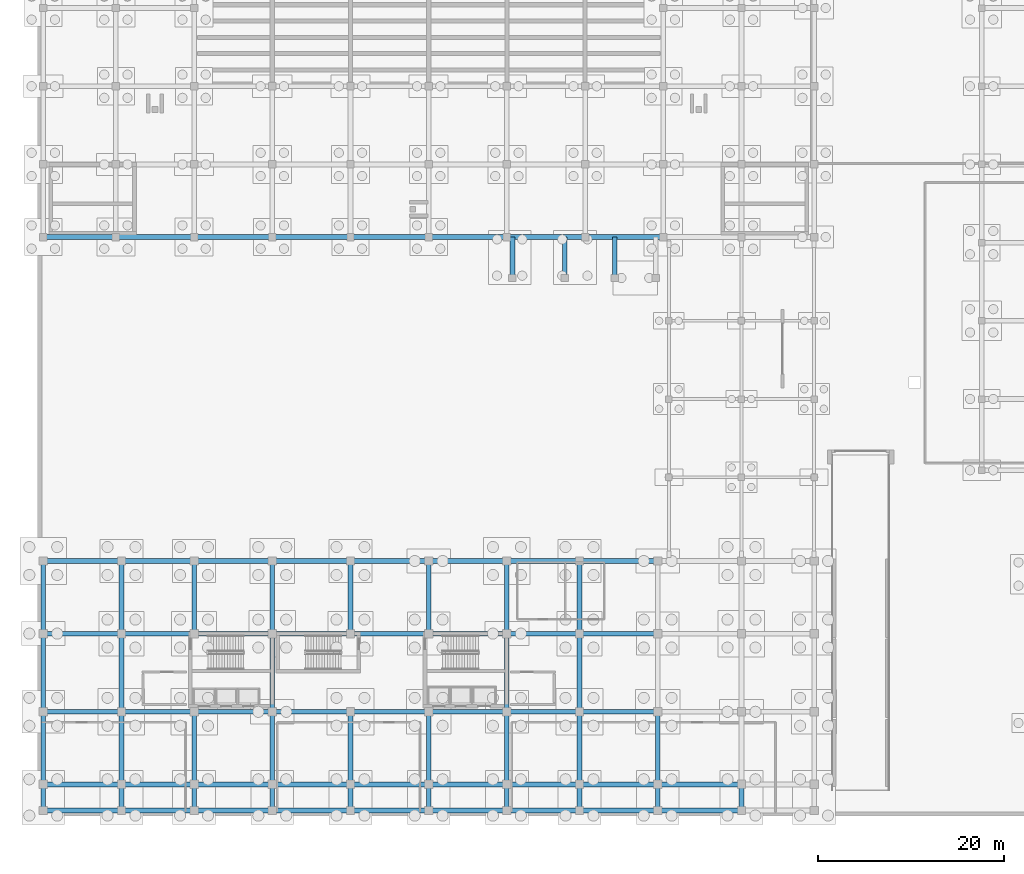
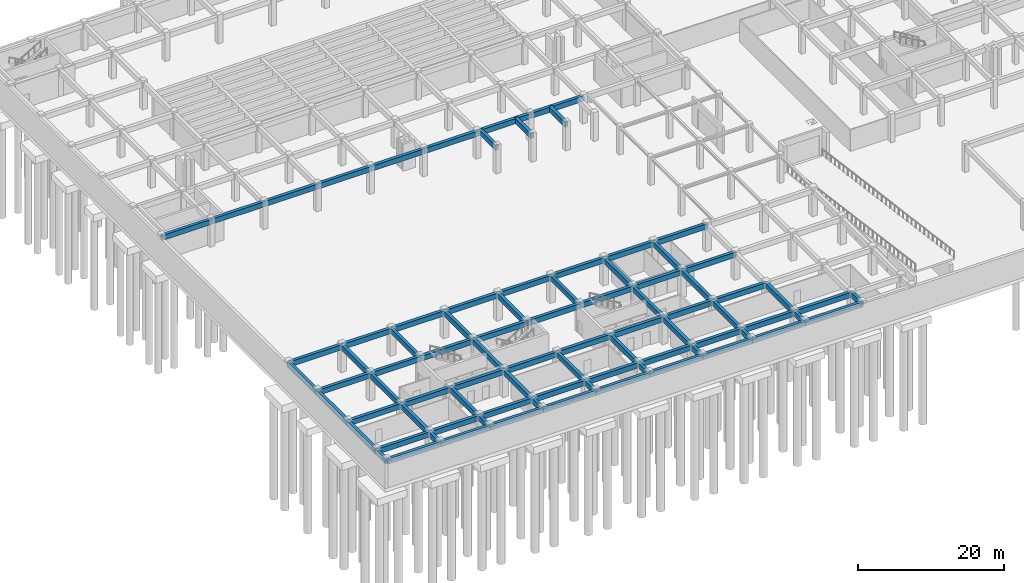
# One storey, part 10 of 35: 85 beams.
"""IFC4 building model written with IfcOpenShell, lengths in metres."""

from ifc_helpers import new_model, si_unit, direction, frame, origin, origin_2d, place, context, subcontext, project, spatial, rectangle, extrude, material, material_profile, profile_set, type_object, element, save


model = new_model("IFC4")

# Units and contexts
model_context = context("Model", 3, precision=1e-05, world=origin(), true_north=direction((0.0, 1.0)))
body_context = subcontext(model_context, "Body", "Model", "MODEL_VIEW")
ifc_project = project(units=[si_unit("LENGTHUNIT", "METRE"), si_unit("AREAUNIT", "SQUARE_METRE"), si_unit("VOLUMEUNIT", "CUBIC_METRE"), si_unit("PLANEANGLEUNIT", "RADIAN"), si_unit("MASSUNIT", "GRAM", prefix="KILO")], contexts=[model_context])

# Site, building, storey
site_placement = place(None, origin())
site = spatial("IfcSite", under=ifc_project, at=site_placement, CompositionType="ELEMENT")
building_placement = place(site_placement, origin())
building = spatial("IfcBuilding", under=site, at=building_placement, Name="Zayran Congress Hotel", CompositionType="ELEMENT")
storey_placement = place(building_placement, frame((0.0, 0.0, -4.800048828125)))
storey = spatial("IfcBuildingStorey", under=building, at=storey_placement, Name="B1", CompositionType="ELEMENT", Elevation=-4.800048828125)

# Beams
ifc_material = material(Name="Concrete C40/50", Category="concrete")
ifc_material_profile = material_profile(ifc_material, rectangle(XDim=0.5, YDim=0.85009765625, at=origin_2d()), Name="RC 500x850")
ifc_profile_set = profile_set([ifc_material_profile], Name="Concrete C40/50")
beam_type = type_object("IfcBeamType", Name="TP-BM-01", PredefinedType="BEAM", material=ifc_profile_set)
beam_1_placement = place(storey_placement, frame((9.0, 68.199951171875, 4.054931640625), z_axis=(1.0, 0.0, 0.0), x_axis=(0.0, 1.0, 0.0)))
element("IfcBeam", 1, at=beam_1_placement, inside=storey, type_object=beam_type, Name="BM-B1-0001", PredefinedType="BEAM", context=body_context, shape_type="SweptSolid", body=[
    extrude(rectangle(XDim=0.5, YDim=0.85009765625, at=origin_2d()), origin(), (0.0, 0.0, 1.0), 7.800048828125),
])
beam_2_placement = place(storey_placement, frame((16.800048828125, 68.199951171875, 4.054931640625), z_axis=(1.0, 0.0, 0.0), x_axis=(0.0, 1.0, 0.0)))
element("IfcBeam", 2, at=beam_2_placement, inside=storey, type_object=beam_type, Name="BM-B1-0002", PredefinedType="BEAM", context=body_context, shape_type="SweptSolid", body=[
    extrude(rectangle(XDim=0.5, YDim=0.85009765625, at=origin_2d()), origin(), (0.0, 0.0, 1.0), 8.39990234375),
])
beam_3_placement = place(storey_placement, frame((25.199951171875, 68.199951171875, 4.054931640625), z_axis=(1.0, 0.0, 0.0), x_axis=(0.0, 1.0, 0.0)))
element("IfcBeam", 3, at=beam_3_placement, inside=storey, type_object=beam_type, Name="BM-B1-0003", PredefinedType="BEAM", context=body_context, shape_type="SweptSolid", body=[
    extrude(rectangle(XDim=0.5, YDim=0.85009765625, at=origin_2d()), origin(), (0.0, 0.0, 1.0), 8.400146484375),
])
for number, where, z_axis, x_axis, name in (
    (4, (33.60009765625, 68.199951171875, 4.054931640625), (1.0, 0.0, 0.0), (0.0, 1.0, 0.0), "BM-B1-0004"),
    (5, (42.0, 68.199951171875, 4.054931640625), (1.0, 0.0, 0.0), (0.0, 1.0, 0.0), "BM-B1-0005"),
):
    element("IfcBeam", number, at=place(storey_placement, frame(where, z_axis=z_axis, x_axis=x_axis)), inside=storey, type_object=beam_type, Name=name, PredefinedType="BEAM", context=body_context, shape_type="SweptSolid", body=[
        extrude(rectangle(XDim=0.5, YDim=0.85009765625, at=origin_2d()), origin(), (0.0, 0.0, 1.0), 8.39990234375),
    ])
beam_4_placement = place(storey_placement, frame((50.39990234375, 68.199951171875, 4.054931640625), z_axis=(1.0, 0.0, 0.0), x_axis=(0.0, 1.0, 0.0)))
element("IfcBeam", 6, at=beam_4_placement, inside=storey, type_object=beam_type, Name="BM-B1-0006", PredefinedType="BEAM", context=body_context, shape_type="SweptSolid", body=[
    extrude(rectangle(XDim=0.5, YDim=0.85009765625, at=origin_2d()), origin(), (0.0, 0.0, 1.0), 8.400146484375),
])
beam_5_placement = place(storey_placement, frame((58.800048828125, 68.199951171875, 4.054931640625), z_axis=(1.0, 0.0, 0.0), x_axis=(0.0, 1.0, 0.0)))
element("IfcBeam", 7, at=beam_5_placement, inside=storey, type_object=beam_type, Name="BM-B1-0007", PredefinedType="BEAM", context=body_context, shape_type="SweptSolid", body=[
    extrude(rectangle(XDim=0.5, YDim=0.85009765625, at=origin_2d()), origin(), (0.0, 0.0, 1.0), 8.39990234375),
])
beam_6_placement = place(storey_placement, frame((67.199951171875, 68.199951171875, 4.054931640625), z_axis=(1.0, 0.0, 0.0), x_axis=(0.0, 1.0, 0.0)))
element("IfcBeam", 8, at=beam_6_placement, inside=storey, type_object=beam_type, Name="BM-B1-0008", PredefinedType="BEAM", context=body_context, shape_type="SweptSolid", body=[
    extrude(rectangle(XDim=0.5, YDim=0.85009765625, at=origin_2d()), origin(), (0.0, 0.0, 1.0), 8.400146484375),
])
beam_7_placement = place(storey_placement, frame((9.0, 6.60009765625, 4.054931640625), z_axis=(1.0, 0.0, 0.0), x_axis=(0.0, 1.0, 0.0)))
element("IfcBeam", 9, at=beam_7_placement, inside=storey, type_object=beam_type, Name="BM-B1-0288", PredefinedType="BEAM", context=body_context, shape_type="SweptSolid", body=[
    extrude(rectangle(XDim=0.5, YDim=0.85009765625, at=origin_2d()), origin(), (0.0, 0.0, 1.0), 8.39990234375),
])
beam_8_placement = place(storey_placement, frame((17.39990234375, 6.60009765625, 4.054931640625), z_axis=(1.0, 0.0, 0.0), x_axis=(0.0, 1.0, 0.0)))
element("IfcBeam", 10, at=beam_8_placement, inside=storey, type_object=beam_type, Name="BM-B1-0289", PredefinedType="BEAM", context=body_context, shape_type="SweptSolid", body=[
    extrude(rectangle(XDim=0.5, YDim=0.85009765625, at=origin_2d()), origin(), (0.0, 0.0, 1.0), 7.800048828125),
])
beam_9_placement = place(storey_placement, frame((25.199951171875, 6.60009765625, 4.054931640625), z_axis=(1.0, 0.0, 0.0), x_axis=(0.0, 1.0, 0.0)))
element("IfcBeam", 11, at=beam_9_placement, inside=storey, type_object=beam_type, Name="BM-B1-0290", PredefinedType="BEAM", context=body_context, shape_type="SweptSolid", body=[
    extrude(rectangle(XDim=0.5, YDim=0.85009765625, at=origin_2d()), origin(), (0.0, 0.0, 1.0), 8.400146484375),
])
for number, where, z_axis, x_axis, name in (
    (12, (33.60009765625, 6.60009765625, 4.054931640625), (1.0, 0.0, 0.0), (0.0, 1.0, 0.0), "BM-B1-0291"),
    (13, (42.0, 6.60009765625, 4.054931640625), (1.0, 0.0, 0.0), (0.0, 1.0, 0.0), "BM-B1-0292"),
):
    element("IfcBeam", number, at=place(storey_placement, frame(where, z_axis=z_axis, x_axis=x_axis)), inside=storey, type_object=beam_type, Name=name, PredefinedType="BEAM", context=body_context, shape_type="SweptSolid", body=[
        extrude(rectangle(XDim=0.5, YDim=0.85009765625, at=origin_2d()), origin(), (0.0, 0.0, 1.0), 8.39990234375),
    ])
beam_10_placement = place(storey_placement, frame((50.39990234375, 6.60009765625, 4.054931640625), z_axis=(1.0, 0.0, 0.0), x_axis=(0.0, 1.0, 0.0)))
element("IfcBeam", 14, at=beam_10_placement, inside=storey, type_object=beam_type, Name="BM-B1-0293", PredefinedType="BEAM", context=body_context, shape_type="SweptSolid", body=[
    extrude(rectangle(XDim=0.5, YDim=0.85009765625, at=origin_2d()), origin(), (0.0, 0.0, 1.0), 8.400146484375),
])
beam_11_placement = place(storey_placement, frame((58.800048828125, 6.60009765625, 4.054931640625), z_axis=(1.0, 0.0, 0.0), x_axis=(0.0, 1.0, 0.0)))
element("IfcBeam", 15, at=beam_11_placement, inside=storey, type_object=beam_type, Name="BM-B1-0294", PredefinedType="BEAM", context=body_context, shape_type="SweptSolid", body=[
    extrude(rectangle(XDim=0.5, YDim=0.85009765625, at=origin_2d()), origin(), (0.0, 0.0, 1.0), 7.800048828125),
])
beam_12_placement = place(storey_placement, frame((66.60009765625, 6.60009765625, 4.054931640625), z_axis=(1.0, 0.0, 0.0), x_axis=(0.0, 1.0, 0.0)))
element("IfcBeam", 16, at=beam_12_placement, inside=storey, type_object=beam_type, Name="BM-B1-0295", PredefinedType="BEAM", context=body_context, shape_type="SweptSolid", body=[
    extrude(rectangle(XDim=0.5, YDim=0.85009765625, at=origin_2d()), origin(), (0.0, 0.0, 1.0), 8.39990234375),
])
beam_13_placement = place(storey_placement, frame((75.0, 6.60009765625, 4.054931640625), z_axis=(1.0, 0.0, 0.0), x_axis=(0.0, 1.0, 0.0)))
element("IfcBeam", 17, at=beam_13_placement, inside=storey, type_object=beam_type, Name="BM-B1-0296", PredefinedType="BEAM", context=body_context, shape_type="SweptSolid", body=[
    extrude(rectangle(XDim=0.5, YDim=0.85009765625, at=origin_2d()), origin(), (0.0, 0.0, 1.0), 9.0),
])
beam_14_placement = place(storey_placement, frame((9.0, 9.39990234375, 4.054931640625), z_axis=(1.0, 0.0, 0.0), x_axis=(0.0, 1.0, 0.0)))
element("IfcBeam", 18, at=beam_14_placement, inside=storey, type_object=beam_type, Name="BM-B1-0298", PredefinedType="BEAM", context=body_context, shape_type="SweptSolid", body=[
    extrude(rectangle(XDim=0.5, YDim=0.85009765625, at=origin_2d()), origin(), (0.0, 0.0, 1.0), 8.39990234375),
])
beam_15_placement = place(storey_placement, frame((17.39990234375, 9.39990234375, 4.054931640625), z_axis=(1.0, 0.0, 0.0), x_axis=(0.0, 1.0, 0.0)))
element("IfcBeam", 19, at=beam_15_placement, inside=storey, type_object=beam_type, Name="BM-B1-0299", PredefinedType="BEAM", context=body_context, shape_type="SweptSolid", body=[
    extrude(rectangle(XDim=0.5, YDim=0.85009765625, at=origin_2d()), origin(), (0.0, 0.0, 1.0), 7.800048828125),
])
beam_16_placement = place(storey_placement, frame((25.199951171875, 9.39990234375, 4.054931640625), z_axis=(1.0, 0.0, 0.0), x_axis=(0.0, 1.0, 0.0)))
element("IfcBeam", 20, at=beam_16_placement, inside=storey, type_object=beam_type, Name="BM-B1-0300", PredefinedType="BEAM", context=body_context, shape_type="SweptSolid", body=[
    extrude(rectangle(XDim=0.5, YDim=0.85009765625, at=origin_2d()), origin(), (0.0, 0.0, 1.0), 8.400146484375),
])
for number, where, z_axis, x_axis, name in (
    (21, (33.60009765625, 9.39990234375, 4.054931640625), (1.0, 0.0, 0.0), (0.0, 1.0, 0.0), "BM-B1-0301"),
    (22, (42.0, 9.39990234375, 4.054931640625), (1.0, 0.0, 0.0), (0.0, 1.0, 0.0), "BM-B1-0302"),
):
    element("IfcBeam", number, at=place(storey_placement, frame(where, z_axis=z_axis, x_axis=x_axis)), inside=storey, type_object=beam_type, Name=name, PredefinedType="BEAM", context=body_context, shape_type="SweptSolid", body=[
        extrude(rectangle(XDim=0.5, YDim=0.85009765625, at=origin_2d()), origin(), (0.0, 0.0, 1.0), 8.39990234375),
    ])
beam_17_placement = place(storey_placement, frame((50.39990234375, 9.39990234375, 4.054931640625), z_axis=(1.0, 0.0, 0.0), x_axis=(0.0, 1.0, 0.0)))
element("IfcBeam", 23, at=beam_17_placement, inside=storey, type_object=beam_type, Name="BM-B1-0303", PredefinedType="BEAM", context=body_context, shape_type="SweptSolid", body=[
    extrude(rectangle(XDim=0.5, YDim=0.85009765625, at=origin_2d()), origin(), (0.0, 0.0, 1.0), 8.400146484375),
])
beam_18_placement = place(storey_placement, frame((58.800048828125, 9.39990234375, 4.054931640625), z_axis=(1.0, 0.0, 0.0), x_axis=(0.0, 1.0, 0.0)))
element("IfcBeam", 24, at=beam_18_placement, inside=storey, type_object=beam_type, Name="BM-B1-0304", PredefinedType="BEAM", context=body_context, shape_type="SweptSolid", body=[
    extrude(rectangle(XDim=0.5, YDim=0.85009765625, at=origin_2d()), origin(), (0.0, 0.0, 1.0), 7.800048828125),
])
beam_19_placement = place(storey_placement, frame((66.60009765625, 9.39990234375, 4.054931640625), z_axis=(1.0, 0.0, 0.0), x_axis=(0.0, 1.0, 0.0)))
element("IfcBeam", 25, at=beam_19_placement, inside=storey, type_object=beam_type, Name="BM-B1-0305", PredefinedType="BEAM", context=body_context, shape_type="SweptSolid", body=[
    extrude(rectangle(XDim=0.5, YDim=0.85009765625, at=origin_2d()), origin(), (0.0, 0.0, 1.0), 8.39990234375),
])
beam_20_placement = place(storey_placement, frame((75.0, 9.39990234375, 4.054931640625), z_axis=(1.0, 0.0, 0.0), x_axis=(0.0, 1.0, 0.0)))
element("IfcBeam", 26, at=beam_20_placement, inside=storey, type_object=beam_type, Name="BM-B1-0306", PredefinedType="BEAM", context=body_context, shape_type="SweptSolid", body=[
    extrude(rectangle(XDim=0.5, YDim=0.85009765625, at=origin_2d()), origin(), (0.0, 0.0, 1.0), 9.0),
])
beam_21_placement = place(storey_placement, frame((9.0, 17.199951171875, 4.054931640625), z_axis=(1.0, 0.0, 0.0), x_axis=(0.0, 1.0, 0.0)))
element("IfcBeam", 27, at=beam_21_placement, inside=storey, type_object=beam_type, Name="BM-B1-0308", PredefinedType="BEAM", context=body_context, shape_type="SweptSolid", body=[
    extrude(rectangle(XDim=0.5, YDim=0.85009765625, at=origin_2d()), origin(), (0.0, 0.0, 1.0), 8.39990234375),
])
beam_22_placement = place(storey_placement, frame((17.39990234375, 17.199951171875, 4.054931640625), z_axis=(1.0, 0.0, 0.0), x_axis=(0.0, 1.0, 0.0)))
element("IfcBeam", 28, at=beam_22_placement, inside=storey, type_object=beam_type, Name="BM-B1-0309", PredefinedType="BEAM", context=body_context, shape_type="SweptSolid", body=[
    extrude(rectangle(XDim=0.5, YDim=0.85009765625, at=origin_2d()), origin(), (0.0, 0.0, 1.0), 7.800048828125),
])
beam_23_placement = place(storey_placement, frame((25.199951171875, 17.199951171875, 4.054931640625), z_axis=(1.0, 0.0, 0.0), x_axis=(0.0, 1.0, 0.0)))
element("IfcBeam", 29, at=beam_23_placement, inside=storey, type_object=beam_type, Name="BM-B1-0310", PredefinedType="BEAM", context=body_context, shape_type="SweptSolid", body=[
    extrude(rectangle(XDim=0.5, YDim=0.85009765625, at=origin_2d()), origin(), (0.0, 0.0, 1.0), 8.400146484375),
])
for number, where, z_axis, x_axis, name in (
    (30, (33.60009765625, 17.199951171875, 4.054931640625), (1.0, 0.0, 0.0), (0.0, 1.0, 0.0), "BM-B1-0311"),
    (31, (42.0, 17.199951171875, 4.054931640625), (1.0, 0.0, 0.0), (0.0, 1.0, 0.0), "BM-B1-0312"),
):
    element("IfcBeam", number, at=place(storey_placement, frame(where, z_axis=z_axis, x_axis=x_axis)), inside=storey, type_object=beam_type, Name=name, PredefinedType="BEAM", context=body_context, shape_type="SweptSolid", body=[
        extrude(rectangle(XDim=0.5, YDim=0.85009765625, at=origin_2d()), origin(), (0.0, 0.0, 1.0), 8.39990234375),
    ])
beam_24_placement = place(storey_placement, frame((50.39990234375, 17.199951171875, 4.054931640625), z_axis=(1.0, 0.0, 0.0), x_axis=(0.0, 1.0, 0.0)))
element("IfcBeam", 32, at=beam_24_placement, inside=storey, type_object=beam_type, Name="BM-B1-0313", PredefinedType="BEAM", context=body_context, shape_type="SweptSolid", body=[
    extrude(rectangle(XDim=0.5, YDim=0.85009765625, at=origin_2d()), origin(), (0.0, 0.0, 1.0), 8.400146484375),
])
beam_25_placement = place(storey_placement, frame((58.800048828125, 17.199951171875, 4.054931640625), z_axis=(1.0, 0.0, 0.0), x_axis=(0.0, 1.0, 0.0)))
element("IfcBeam", 33, at=beam_25_placement, inside=storey, type_object=beam_type, Name="BM-B1-0314", PredefinedType="BEAM", context=body_context, shape_type="SweptSolid", body=[
    extrude(rectangle(XDim=0.5, YDim=0.85009765625, at=origin_2d()), origin(), (0.0, 0.0, 1.0), 7.800048828125),
])
for number, where, z_axis, x_axis, name in (
    (34, (66.60009765625, 17.199951171875, 4.054931640625), (1.0, 0.0, 0.0), (0.0, 1.0, 0.0), "BM-B1-0315"),
    (35, (9.0, 25.60009765625, 4.054931640625), (1.0, 0.0, 0.0), (0.0, 1.0, 0.0), "BM-B1-0318"),
):
    element("IfcBeam", number, at=place(storey_placement, frame(where, z_axis=z_axis, x_axis=x_axis)), inside=storey, type_object=beam_type, Name=name, PredefinedType="BEAM", context=body_context, shape_type="SweptSolid", body=[
        extrude(rectangle(XDim=0.5, YDim=0.85009765625, at=origin_2d()), origin(), (0.0, 0.0, 1.0), 8.39990234375),
    ])
beam_26_placement = place(storey_placement, frame((17.39990234375, 25.60009765625, 4.054931640625), z_axis=(1.0, 0.0, 0.0), x_axis=(0.0, 1.0, 0.0)))
element("IfcBeam", 36, at=beam_26_placement, inside=storey, type_object=beam_type, Name="BM-B1-0319", PredefinedType="BEAM", context=body_context, shape_type="SweptSolid", body=[
    extrude(rectangle(XDim=0.5, YDim=0.85009765625, at=origin_2d()), origin(), (0.0, 0.0, 1.0), 7.800048828125),
])
beam_27_placement = place(storey_placement, frame((25.199951171875, 25.60009765625, 4.054931640625), z_axis=(1.0, 0.0, 0.0), x_axis=(0.0, 1.0, 0.0)))
element("IfcBeam", 37, at=beam_27_placement, inside=storey, type_object=beam_type, Name="BM-B1-0320", PredefinedType="BEAM", context=body_context, shape_type="SweptSolid", body=[
    extrude(rectangle(XDim=0.5, YDim=0.85009765625, at=origin_2d()), origin(), (0.0, 0.0, 1.0), 8.400146484375),
])
for number, where, z_axis, x_axis, name in (
    (38, (33.60009765625, 25.60009765625, 4.054931640625), (1.0, 0.0, 0.0), (0.0, 1.0, 0.0), "BM-B1-0321"),
    (39, (42.0, 25.60009765625, 4.054931640625), (1.0, 0.0, 0.0), (0.0, 1.0, 0.0), "BM-B1-0322"),
):
    element("IfcBeam", number, at=place(storey_placement, frame(where, z_axis=z_axis, x_axis=x_axis)), inside=storey, type_object=beam_type, Name=name, PredefinedType="BEAM", context=body_context, shape_type="SweptSolid", body=[
        extrude(rectangle(XDim=0.5, YDim=0.85009765625, at=origin_2d()), origin(), (0.0, 0.0, 1.0), 8.39990234375),
    ])
beam_28_placement = place(storey_placement, frame((50.39990234375, 25.60009765625, 4.054931640625), z_axis=(1.0, 0.0, 0.0), x_axis=(0.0, 1.0, 0.0)))
element("IfcBeam", 40, at=beam_28_placement, inside=storey, type_object=beam_type, Name="BM-B1-0323", PredefinedType="BEAM", context=body_context, shape_type="SweptSolid", body=[
    extrude(rectangle(XDim=0.5, YDim=0.85009765625, at=origin_2d()), origin(), (0.0, 0.0, 1.0), 8.400146484375),
])
beam_29_placement = place(storey_placement, frame((58.800048828125, 25.60009765625, 4.054931640625), z_axis=(1.0, 0.0, 0.0), x_axis=(0.0, 1.0, 0.0)))
element("IfcBeam", 41, at=beam_29_placement, inside=storey, type_object=beam_type, Name="BM-B1-0324", PredefinedType="BEAM", context=body_context, shape_type="SweptSolid", body=[
    extrude(rectangle(XDim=0.5, YDim=0.85009765625, at=origin_2d()), origin(), (0.0, 0.0, 1.0), 7.800048828125),
])
for number, where, z_axis, x_axis, name in (
    (42, (66.60009765625, 25.60009765625, 4.054931640625), (1.0, 0.0, 0.0), (0.0, 1.0, 0.0), "BM-B1-0325"),
    (43, (9.0, 33.39990234375, 4.054931640625), (1.0, 0.0, 0.0), (0.0, 1.0, 0.0), "BM-B1-0328"),
):
    element("IfcBeam", number, at=place(storey_placement, frame(where, z_axis=z_axis, x_axis=x_axis)), inside=storey, type_object=beam_type, Name=name, PredefinedType="BEAM", context=body_context, shape_type="SweptSolid", body=[
        extrude(rectangle(XDim=0.5, YDim=0.85009765625, at=origin_2d()), origin(), (0.0, 0.0, 1.0), 8.39990234375),
    ])
beam_30_placement = place(storey_placement, frame((17.39990234375, 33.39990234375, 4.054931640625), z_axis=(1.0, 0.0, 0.0), x_axis=(0.0, 1.0, 0.0)))
element("IfcBeam", 44, at=beam_30_placement, inside=storey, type_object=beam_type, Name="BM-B1-0329", PredefinedType="BEAM", context=body_context, shape_type="SweptSolid", body=[
    extrude(rectangle(XDim=0.5, YDim=0.85009765625, at=origin_2d()), origin(), (0.0, 0.0, 1.0), 7.800048828125),
])
beam_31_placement = place(storey_placement, frame((25.199951171875, 33.39990234375, 4.054931640625), z_axis=(1.0, 0.0, 0.0), x_axis=(0.0, 1.0, 0.0)))
element("IfcBeam", 45, at=beam_31_placement, inside=storey, type_object=beam_type, Name="BM-B1-0330", PredefinedType="BEAM", context=body_context, shape_type="SweptSolid", body=[
    extrude(rectangle(XDim=0.5, YDim=0.85009765625, at=origin_2d()), origin(), (0.0, 0.0, 1.0), 8.400146484375),
])
for number, where, z_axis, x_axis, name in (
    (46, (33.60009765625, 33.39990234375, 4.054931640625), (1.0, 0.0, 0.0), (0.0, 1.0, 0.0), "BM-B1-0331"),
    (47, (42.0, 33.39990234375, 4.054931640625), (1.0, 0.0, 0.0), (0.0, 1.0, 0.0), "BM-B1-0332"),
):
    element("IfcBeam", number, at=place(storey_placement, frame(where, z_axis=z_axis, x_axis=x_axis)), inside=storey, type_object=beam_type, Name=name, PredefinedType="BEAM", context=body_context, shape_type="SweptSolid", body=[
        extrude(rectangle(XDim=0.5, YDim=0.85009765625, at=origin_2d()), origin(), (0.0, 0.0, 1.0), 8.39990234375),
    ])
beam_32_placement = place(storey_placement, frame((50.39990234375, 33.39990234375, 4.054931640625), z_axis=(1.0, 0.0, 0.0), x_axis=(0.0, 1.0, 0.0)))
element("IfcBeam", 48, at=beam_32_placement, inside=storey, type_object=beam_type, Name="BM-B1-0333", PredefinedType="BEAM", context=body_context, shape_type="SweptSolid", body=[
    extrude(rectangle(XDim=0.5, YDim=0.85009765625, at=origin_2d()), origin(), (0.0, 0.0, 1.0), 8.400146484375),
])
beam_33_placement = place(storey_placement, frame((58.800048828125, 33.39990234375, 4.054931640625), z_axis=(1.0, 0.0, 0.0), x_axis=(0.0, 1.0, 0.0)))
element("IfcBeam", 49, at=beam_33_placement, inside=storey, type_object=beam_type, Name="BM-B1-0334", PredefinedType="BEAM", context=body_context, shape_type="SweptSolid", body=[
    extrude(rectangle(XDim=0.5, YDim=0.85009765625, at=origin_2d()), origin(), (0.0, 0.0, 1.0), 7.800048828125),
])
beam_34_placement = place(storey_placement, frame((66.60009765625, 33.39990234375, 4.054931640625), z_axis=(1.0, 0.0, 0.0), x_axis=(0.0, 1.0, 0.0)))
element("IfcBeam", 50, at=beam_34_placement, inside=storey, type_object=beam_type, Name="BM-B1-0335", PredefinedType="BEAM", context=body_context, shape_type="SweptSolid", body=[
    extrude(rectangle(XDim=0.5, YDim=0.85009765625, at=origin_2d()), origin(), (0.0, 0.0, 1.0), 8.39990234375),
])
beam_35_placement = place(storey_placement, frame((9.0, 6.60009765625, 4.054931640625), z_axis=(0.0, 1.0, 0.0), x_axis=(-1.0, 0.0, 0.0)))
element("IfcBeam", 51, at=beam_35_placement, inside=storey, type_object=beam_type, Name="BM-B1-0338", PredefinedType="BEAM", context=body_context, shape_type="SweptSolid", body=[
    extrude(rectangle(XDim=0.5, YDim=0.85009765625, at=origin_2d()), origin(), (0.0, 0.0, 1.0), 2.7998046875),
])
beam_36_placement = place(storey_placement, frame((9.0, 9.39990234375, 4.054931640625), z_axis=(0.0, 1.0, 0.0), x_axis=(-1.0, 0.0, 0.0)))
element("IfcBeam", 52, at=beam_36_placement, inside=storey, type_object=beam_type, Name="BM-B1-0339", PredefinedType="BEAM", context=body_context, shape_type="SweptSolid", body=[
    extrude(rectangle(XDim=0.5, YDim=0.85009765625, at=origin_2d()), origin(), (0.0, 0.0, 1.0), 7.800048828125),
])
beam_37_placement = place(storey_placement, frame((9.0, 17.199951171875, 4.054931640625), z_axis=(0.0, 1.0, 0.0), x_axis=(-1.0, 0.0, 0.0)))
element("IfcBeam", 53, at=beam_37_placement, inside=storey, type_object=beam_type, Name="BM-B1-0340", PredefinedType="BEAM", context=body_context, shape_type="SweptSolid", body=[
    extrude(rectangle(XDim=0.5, YDim=0.85009765625, at=origin_2d()), origin(), (0.0, 0.0, 1.0), 8.400146484375),
])
beam_38_placement = place(storey_placement, frame((9.0, 25.60009765625, 4.054931640625), z_axis=(0.0, 1.0, 0.0), x_axis=(-1.0, 0.0, 0.0)))
element("IfcBeam", 54, at=beam_38_placement, inside=storey, type_object=beam_type, Name="BM-B1-0341", PredefinedType="BEAM", context=body_context, shape_type="SweptSolid", body=[
    extrude(rectangle(XDim=0.5, YDim=0.85009765625, at=origin_2d()), origin(), (0.0, 0.0, 1.0), 7.7998046875),
])
beam_39_placement = place(storey_placement, frame((17.39990234375, 6.60009765625, 4.054931640625), z_axis=(0.0, 1.0, 0.0), x_axis=(-1.0, 0.0, 0.0)))
element("IfcBeam", 55, at=beam_39_placement, inside=storey, type_object=beam_type, Name="BM-B1-0342", PredefinedType="BEAM", context=body_context, shape_type="SweptSolid", body=[
    extrude(rectangle(XDim=0.5, YDim=0.85009765625, at=origin_2d()), origin(), (0.0, 0.0, 1.0), 2.7998046875),
])
beam_40_placement = place(storey_placement, frame((17.39990234375, 9.39990234375, 4.054931640625), z_axis=(0.0, 1.0, 0.0), x_axis=(-1.0, 0.0, 0.0)))
element("IfcBeam", 56, at=beam_40_placement, inside=storey, type_object=beam_type, Name="BM-B1-0343", PredefinedType="BEAM", context=body_context, shape_type="SweptSolid", body=[
    extrude(rectangle(XDim=0.5, YDim=0.85009765625, at=origin_2d()), origin(), (0.0, 0.0, 1.0), 7.800048828125),
])
beam_41_placement = place(storey_placement, frame((17.39990234375, 17.199951171875, 4.054931640625), z_axis=(0.0, 1.0, 0.0), x_axis=(-1.0, 0.0, 0.0)))
element("IfcBeam", 57, at=beam_41_placement, inside=storey, type_object=beam_type, Name="BM-B1-0344", PredefinedType="BEAM", context=body_context, shape_type="SweptSolid", body=[
    extrude(rectangle(XDim=0.5, YDim=0.85009765625, at=origin_2d()), origin(), (0.0, 0.0, 1.0), 8.400146484375),
])
beam_42_placement = place(storey_placement, frame((17.39990234375, 25.60009765625, 4.054931640625), z_axis=(0.0, 1.0, 0.0), x_axis=(-1.0, 0.0, 0.0)))
element("IfcBeam", 58, at=beam_42_placement, inside=storey, type_object=beam_type, Name="BM-B1-0345", PredefinedType="BEAM", context=body_context, shape_type="SweptSolid", body=[
    extrude(rectangle(XDim=0.5, YDim=0.85009765625, at=origin_2d()), origin(), (0.0, 0.0, 1.0), 7.7998046875),
])
beam_43_placement = place(storey_placement, frame((25.199951171875, 6.60009765625, 4.054931640625), z_axis=(0.0, 1.0, 0.0), x_axis=(-1.0, 0.0, 0.0)))
element("IfcBeam", 59, at=beam_43_placement, inside=storey, type_object=beam_type, Name="BM-B1-0346", PredefinedType="BEAM", context=body_context, shape_type="SweptSolid", body=[
    extrude(rectangle(XDim=0.5, YDim=0.85009765625, at=origin_2d()), origin(), (0.0, 0.0, 1.0), 2.7998046875),
])
beam_44_placement = place(storey_placement, frame((25.199951171875, 9.39990234375, 4.054931640625), z_axis=(0.0, 1.0, 0.0), x_axis=(-1.0, 0.0, 0.0)))
element("IfcBeam", 60, at=beam_44_placement, inside=storey, type_object=beam_type, Name="BM-B1-0347", PredefinedType="BEAM", context=body_context, shape_type="SweptSolid", body=[
    extrude(rectangle(XDim=0.5, YDim=0.85009765625, at=origin_2d()), origin(), (0.0, 0.0, 1.0), 7.800048828125),
])
beam_45_placement = place(storey_placement, frame((25.199951171875, 25.60009765625, 4.054931640625), z_axis=(0.0, 1.0, 0.0), x_axis=(-1.0, 0.0, 0.0)))
element("IfcBeam", 61, at=beam_45_placement, inside=storey, type_object=beam_type, Name="BM-B1-0348", PredefinedType="BEAM", context=body_context, shape_type="SweptSolid", body=[
    extrude(rectangle(XDim=0.5, YDim=0.85009765625, at=origin_2d()), origin(), (0.0, 0.0, 1.0), 7.7998046875),
])
beam_46_placement = place(storey_placement, frame((33.60009765625, 6.60009765625, 4.054931640625), z_axis=(0.0, 1.0, 0.0), x_axis=(-1.0, 0.0, 0.0)))
element("IfcBeam", 62, at=beam_46_placement, inside=storey, type_object=beam_type, Name="BM-B1-0349", PredefinedType="BEAM", context=body_context, shape_type="SweptSolid", body=[
    extrude(rectangle(XDim=0.5, YDim=0.85009765625, at=origin_2d()), origin(), (0.0, 0.0, 1.0), 2.7998046875),
])
beam_47_placement = place(storey_placement, frame((33.60009765625, 9.39990234375, 4.054931640625), z_axis=(0.0, 1.0, 0.0), x_axis=(-1.0, 0.0, 0.0)))
element("IfcBeam", 63, at=beam_47_placement, inside=storey, type_object=beam_type, Name="BM-B1-0350", PredefinedType="BEAM", context=body_context, shape_type="SweptSolid", body=[
    extrude(rectangle(XDim=0.5, YDim=0.85009765625, at=origin_2d()), origin(), (0.0, 0.0, 1.0), 7.800048828125),
])
beam_48_placement = place(storey_placement, frame((33.60009765625, 17.199951171875, 4.054931640625), z_axis=(0.0, 1.0, 0.0), x_axis=(-1.0, 0.0, 0.0)))
element("IfcBeam", 64, at=beam_48_placement, inside=storey, type_object=beam_type, Name="BM-B1-0351", PredefinedType="BEAM", context=body_context, shape_type="SweptSolid", body=[
    extrude(rectangle(XDim=0.5, YDim=0.85009765625, at=origin_2d()), origin(), (0.0, 0.0, 1.0), 8.400146484375),
])
beam_49_placement = place(storey_placement, frame((33.60009765625, 25.60009765625, 4.054931640625), z_axis=(0.0, 1.0, 0.0), x_axis=(-1.0, 0.0, 0.0)))
element("IfcBeam", 65, at=beam_49_placement, inside=storey, type_object=beam_type, Name="BM-B1-0352", PredefinedType="BEAM", context=body_context, shape_type="SweptSolid", body=[
    extrude(rectangle(XDim=0.5, YDim=0.85009765625, at=origin_2d()), origin(), (0.0, 0.0, 1.0), 7.7998046875),
])
beam_50_placement = place(storey_placement, frame((42.0, 6.60009765625, 4.054931640625), z_axis=(0.0, 1.0, 0.0), x_axis=(-1.0, 0.0, 0.0)))
element("IfcBeam", 66, at=beam_50_placement, inside=storey, type_object=beam_type, Name="BM-B1-0353", PredefinedType="BEAM", context=body_context, shape_type="SweptSolid", body=[
    extrude(rectangle(XDim=0.5, YDim=0.85009765625, at=origin_2d()), origin(), (0.0, 0.0, 1.0), 2.7998046875),
])
beam_51_placement = place(storey_placement, frame((42.0, 9.39990234375, 4.054931640625), z_axis=(0.0, 1.0, 0.0), x_axis=(-1.0, 0.0, 0.0)))
element("IfcBeam", 67, at=beam_51_placement, inside=storey, type_object=beam_type, Name="BM-B1-0354", PredefinedType="BEAM", context=body_context, shape_type="SweptSolid", body=[
    extrude(rectangle(XDim=0.5, YDim=0.85009765625, at=origin_2d()), origin(), (0.0, 0.0, 1.0), 7.800048828125),
])
beam_52_placement = place(storey_placement, frame((42.0, 25.60009765625, 4.054931640625), z_axis=(0.0, 1.0, 0.0), x_axis=(-1.0, 0.0, 0.0)))
element("IfcBeam", 68, at=beam_52_placement, inside=storey, type_object=beam_type, Name="BM-B1-0356", PredefinedType="BEAM", context=body_context, shape_type="SweptSolid", body=[
    extrude(rectangle(XDim=0.5, YDim=0.85009765625, at=origin_2d()), origin(), (0.0, 0.0, 1.0), 7.7998046875),
])
beam_53_placement = place(storey_placement, frame((50.39990234375, 6.60009765625, 4.054931640625), z_axis=(0.0, 1.0, 0.0), x_axis=(-1.0, 0.0, 0.0)))
element("IfcBeam", 69, at=beam_53_placement, inside=storey, type_object=beam_type, Name="BM-B1-0357", PredefinedType="BEAM", context=body_context, shape_type="SweptSolid", body=[
    extrude(rectangle(XDim=0.5, YDim=0.85009765625, at=origin_2d()), origin(), (0.0, 0.0, 1.0), 2.7998046875),
])
beam_54_placement = place(storey_placement, frame((50.39990234375, 9.39990234375, 4.054931640625), z_axis=(0.0, 1.0, 0.0), x_axis=(-1.0, 0.0, 0.0)))
element("IfcBeam", 70, at=beam_54_placement, inside=storey, type_object=beam_type, Name="BM-B1-0358", PredefinedType="BEAM", context=body_context, shape_type="SweptSolid", body=[
    extrude(rectangle(XDim=0.5, YDim=0.85009765625, at=origin_2d()), origin(), (0.0, 0.0, 1.0), 7.800048828125),
])
beam_55_placement = place(storey_placement, frame((50.39990234375, 25.60009765625, 4.054931640625), z_axis=(0.0, 1.0, 0.0), x_axis=(-1.0, 0.0, 0.0)))
element("IfcBeam", 71, at=beam_55_placement, inside=storey, type_object=beam_type, Name="BM-B1-0359", PredefinedType="BEAM", context=body_context, shape_type="SweptSolid", body=[
    extrude(rectangle(XDim=0.5, YDim=0.85009765625, at=origin_2d()), origin(), (0.0, 0.0, 1.0), 7.7998046875),
])
beam_56_placement = place(storey_placement, frame((58.800048828125, 6.60009765625, 4.054931640625), z_axis=(0.0, 1.0, 0.0), x_axis=(-1.0, 0.0, 0.0)))
element("IfcBeam", 72, at=beam_56_placement, inside=storey, type_object=beam_type, Name="BM-B1-0360", PredefinedType="BEAM", context=body_context, shape_type="SweptSolid", body=[
    extrude(rectangle(XDim=0.5, YDim=0.85009765625, at=origin_2d()), origin(), (0.0, 0.0, 1.0), 2.7998046875),
])
beam_57_placement = place(storey_placement, frame((58.800048828125, 9.39990234375, 4.054931640625), z_axis=(0.0, 1.0, 0.0), x_axis=(-1.0, 0.0, 0.0)))
element("IfcBeam", 73, at=beam_57_placement, inside=storey, type_object=beam_type, Name="BM-B1-0361", PredefinedType="BEAM", context=body_context, shape_type="SweptSolid", body=[
    extrude(rectangle(XDim=0.5, YDim=0.85009765625, at=origin_2d()), origin(), (0.0, 0.0, 1.0), 7.800048828125),
])
beam_58_placement = place(storey_placement, frame((58.800048828125, 17.199951171875, 4.054931640625), z_axis=(0.0, 1.0, 0.0), x_axis=(-1.0, 0.0, 0.0)))
element("IfcBeam", 74, at=beam_58_placement, inside=storey, type_object=beam_type, Name="BM-B1-0362", PredefinedType="BEAM", context=body_context, shape_type="SweptSolid", body=[
    extrude(rectangle(XDim=0.5, YDim=0.85009765625, at=origin_2d()), origin(), (0.0, 0.0, 1.0), 8.400146484375),
])
beam_59_placement = place(storey_placement, frame((58.800048828125, 25.60009765625, 4.054931640625), z_axis=(0.0, 1.0, 0.0), x_axis=(-1.0, 0.0, 0.0)))
element("IfcBeam", 75, at=beam_59_placement, inside=storey, type_object=beam_type, Name="BM-B1-0363", PredefinedType="BEAM", context=body_context, shape_type="SweptSolid", body=[
    extrude(rectangle(XDim=0.5, YDim=0.85009765625, at=origin_2d()), origin(), (0.0, 0.0, 1.0), 7.7998046875),
])
beam_60_placement = place(storey_placement, frame((66.60009765625, 6.60009765625, 4.054931640625), z_axis=(0.0, 1.0, 0.0), x_axis=(-1.0, 0.0, 0.0)))
element("IfcBeam", 76, at=beam_60_placement, inside=storey, type_object=beam_type, Name="BM-B1-0364", PredefinedType="BEAM", context=body_context, shape_type="SweptSolid", body=[
    extrude(rectangle(XDim=0.5, YDim=0.85009765625, at=origin_2d()), origin(), (0.0, 0.0, 1.0), 2.7998046875),
])
beam_61_placement = place(storey_placement, frame((66.60009765625, 9.39990234375, 4.054931640625), z_axis=(0.0, 1.0, 0.0), x_axis=(-1.0, 0.0, 0.0)))
element("IfcBeam", 77, at=beam_61_placement, inside=storey, type_object=beam_type, Name="BM-B1-0365", PredefinedType="BEAM", context=body_context, shape_type="SweptSolid", body=[
    extrude(rectangle(XDim=0.5, YDim=0.85009765625, at=origin_2d()), origin(), (0.0, 0.0, 1.0), 7.800048828125),
])
beam_62_placement = place(storey_placement, frame((66.60009765625, 17.199951171875, 4.054931640625), z_axis=(0.0, 1.0, 0.0), x_axis=(-1.0, 0.0, 0.0)))
element("IfcBeam", 78, at=beam_62_placement, inside=storey, type_object=beam_type, Name="BM-B1-0366", PredefinedType="BEAM", context=body_context, shape_type="SweptSolid", body=[
    extrude(rectangle(XDim=0.5, YDim=0.85009765625, at=origin_2d()), origin(), (0.0, 0.0, 1.0), 8.400146484375),
])
beam_63_placement = place(storey_placement, frame((66.60009765625, 25.60009765625, 4.054931640625), z_axis=(0.0, 1.0, 0.0), x_axis=(-1.0, 0.0, 0.0)))
element("IfcBeam", 79, at=beam_63_placement, inside=storey, type_object=beam_type, Name="BM-B1-0367", PredefinedType="BEAM", context=body_context, shape_type="SweptSolid", body=[
    extrude(rectangle(XDim=0.5, YDim=0.85009765625, at=origin_2d()), origin(), (0.0, 0.0, 1.0), 7.7998046875),
])
beam_64_placement = place(storey_placement, frame((75.0, 6.60009765625, 4.054931640625), z_axis=(0.0, 1.0, 0.0), x_axis=(-1.0, 0.0, 0.0)))
element("IfcBeam", 80, at=beam_64_placement, inside=storey, type_object=beam_type, Name="BM-B1-0368", PredefinedType="BEAM", context=body_context, shape_type="SweptSolid", body=[
    extrude(rectangle(XDim=0.5, YDim=0.85009765625, at=origin_2d()), origin(), (0.0, 0.0, 1.0), 2.7998046875),
])
beam_65_placement = place(storey_placement, frame((75.0, 9.39990234375, 4.054931640625), z_axis=(0.0, 1.0, 0.0), x_axis=(-1.0, 0.0, 0.0)))
element("IfcBeam", 81, at=beam_65_placement, inside=storey, type_object=beam_type, Name="BM-B1-0369", PredefinedType="BEAM", context=body_context, shape_type="SweptSolid", body=[
    extrude(rectangle(XDim=0.5, YDim=0.85009765625, at=origin_2d()), origin(), (0.0, 0.0, 1.0), 7.800048828125),
])
beam_66_placement = place(storey_placement, frame((84.0, 6.60009765625, 4.054931640625), z_axis=(0.0, 1.0, 0.0), x_axis=(-1.0, 0.0, 0.0)))
element("IfcBeam", 82, at=beam_66_placement, inside=storey, type_object=beam_type, Name="BM-B1-0372", PredefinedType="BEAM", context=body_context, shape_type="SweptSolid", body=[
    extrude(rectangle(XDim=0.5, YDim=0.85009765625, at=origin_2d()), origin(), (0.0, 0.0, 1.0), 2.7998046875),
])
for number, where, z_axis, x_axis, name in (
    (83, (59.39990234375, 63.800048828125, 4.054931640625), (0.0, 1.0, 0.0), (-1.0, 0.0, 0.0), "BM-B1-CAN-0380"),
    (84, (65.0, 63.800048828125, 4.054931640625), (0.0, 1.0, 0.0), (-1.0, 0.0, 0.0), "BM-B1-CAN-0381"),
    (85, (70.39990234375, 63.800048828125, 4.054931640625), (0.0, 1.0, 0.0), (-1.0, 0.0, 0.0), "BM-B1-CAN-0382"),
):
    element("IfcBeam", number, at=place(storey_placement, frame(where, z_axis=z_axis, x_axis=x_axis)), inside=storey, type_object=beam_type, Name=name, PredefinedType="BEAM", context=body_context, shape_type="SweptSolid", body=[
        extrude(rectangle(XDim=0.5, YDim=0.85009765625, at=origin_2d()), origin(), (0.0, 0.0, 1.0), 4.39990234375),
    ])

save(model, "model.ifc")
